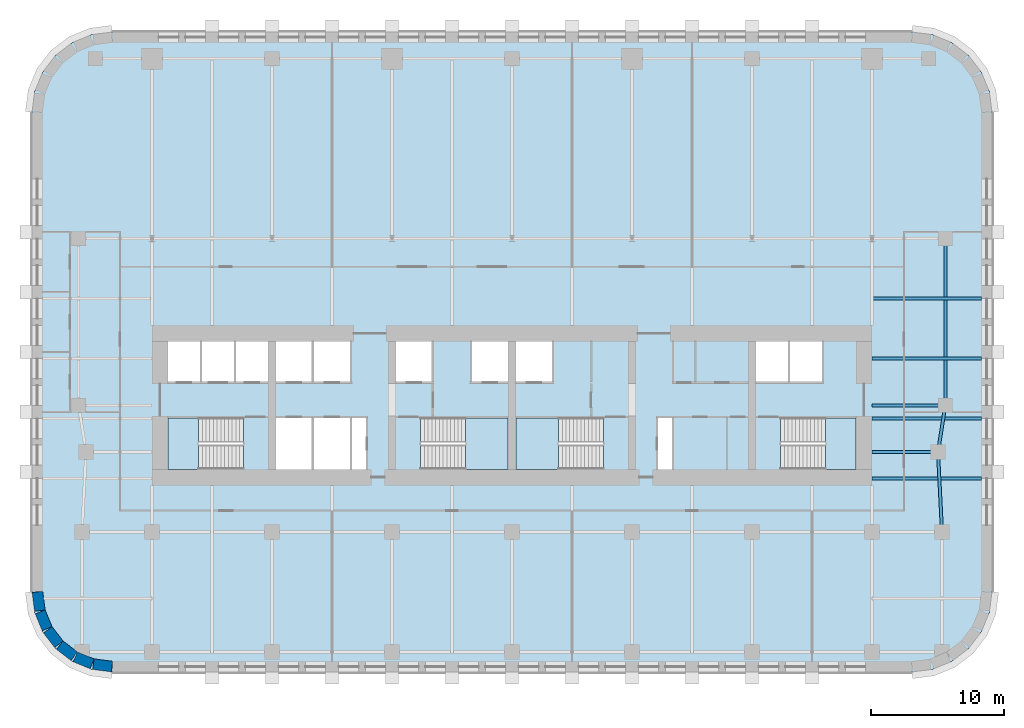
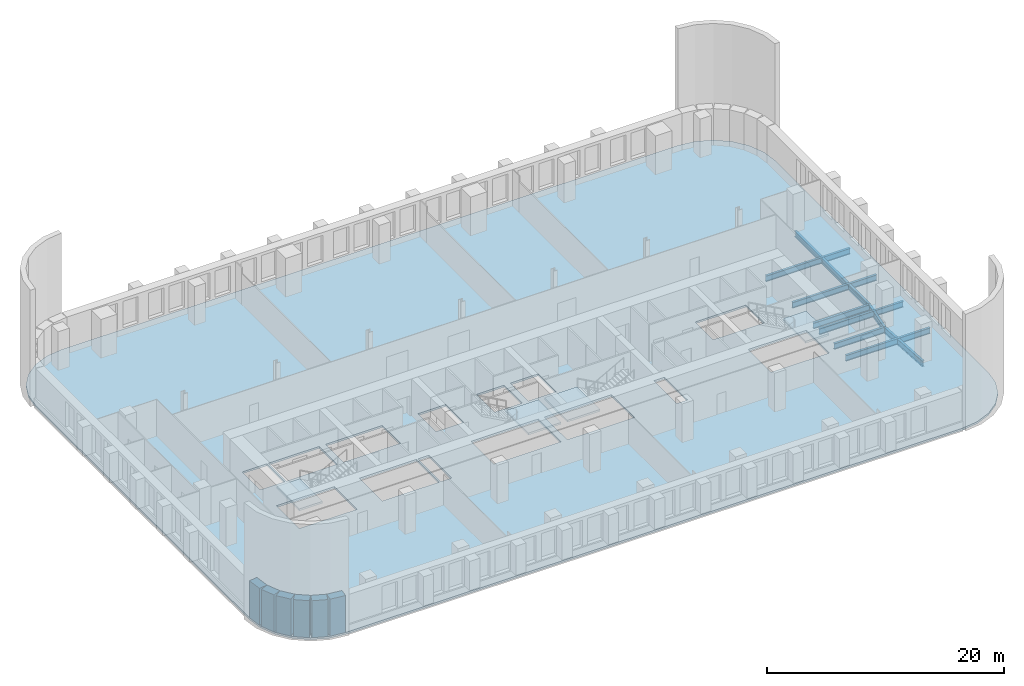
# One storey, part 2 of 11: 9 beams, 6 walls, 5 slabs, 4 elements without a shape of their own.
"""IFC4 building model written with IfcOpenShell, lengths in metres."""

from ifc_helpers import new_model, si_unit, direction, frame, frame_2d, origin, origin_2d, place, context, subcontext, project, spatial, polyline, rectangle, i_section, outline, extrude, material, layer, layer_set, material_profile, profile_set, type_object, element, aggregate, save


model = new_model("IFC4")

# Units and contexts
model_context = context("Model", 3, precision=1e-05, world=origin(), true_north=direction((0.0, 1.0)))
body_context = subcontext(model_context, "Body", "Model", "MODEL_VIEW")
ifc_project = project(units=[si_unit("LENGTHUNIT", "METRE"), si_unit("AREAUNIT", "SQUARE_METRE"), si_unit("VOLUMEUNIT", "CUBIC_METRE"), si_unit("PLANEANGLEUNIT", "RADIAN"), si_unit("MASSUNIT", "GRAM", prefix="KILO")], contexts=[model_context])

# Site, building, storey
site_placement = place(None, origin())
site = spatial("IfcSite", under=ifc_project, at=site_placement, CompositionType="ELEMENT")
building_placement = place(site_placement, origin())
building = spatial("IfcBuilding", under=site, at=building_placement, Name="Zellij Exchange Tower", CompositionType="ELEMENT")
storey_placement = place(building_placement, frame((0.0, 0.0, 64.5)))
storey = spatial("IfcBuildingStorey", under=building, at=storey_placement, Name="L12", CompositionType="ELEMENT", Elevation=64.5)

# Beams
ifc_material_1 = material(Name="Structural steel ASTM A992 Gr 50", Category="steel")
ifc_material_profile_1 = material_profile(ifc_material_1, i_section(OverallWidth=0.227783203125, OverallDepth=0.60205078125, WebThickness=0.010498046875, FlangeThickness=0.014892578125, at=origin_2d()), Name="W24x68")
ifc_profile_set_1 = profile_set([ifc_material_profile_1], Name="Structural steel ASTM A992 Gr 50")
beam_type_1 = type_object("IfcBeamType", Name="STR-BEAM W24x68", PredefinedType="BEAM", material=ifc_profile_set_1)
for number, where, z_axis, x_axis, name in (
    (1, (27.0, -13.5, -0.5009765625), (1.0, 0.0, 0.0), (0.0, 1.0, 0.0), "B5"),
    (2, (27.0, -9.0, -0.5009765625), (1.0, 0.0, 0.0), (0.0, 1.0, 0.0), "B5"),
    (3, (27.0, -4.5, -0.5009765625), (1.0, 0.0, 0.0), (0.0, 1.0, 0.0), "B5"),
    (4, (27.0, 0.0, -0.5009765625), (1.0, 0.0, 0.0), (0.0, 1.0, 0.0), "B5"),
):
    element("IfcBeam", number, at=place(storey_placement, frame(where, z_axis=z_axis, x_axis=x_axis)), inside=storey, type_object=beam_type_1, Name=name, PredefinedType="BEAM", context=body_context, shape_type="SweptSolid", body=[
        extrude(i_section(OverallWidth=0.227783203125, OverallDepth=0.60205078125, WebThickness=0.010498046875, FlangeThickness=0.014892578125, at=origin_2d()), origin(), (0.0, 0.0, 1.0), 8.199951171875),
    ])
ifc_material_profile_2 = material_profile(ifc_material_1, i_section(OverallWidth=0.22900390625, OverallDepth=0.612060546875, WebThickness=0.011962890625, FlangeThickness=0.01953125, at=origin_2d()), Name="W24x84")
ifc_profile_set_2 = profile_set([ifc_material_profile_2], Name="Structural steel ASTM A992 Gr 50")
beam_type_2 = type_object("IfcBeamType", Name="STR-EDGE GIRDER W24x84", PredefinedType="BEAM", material=ifc_profile_set_2)
beam_1_placement = place(storey_placement, frame((32.25, -17.5, -0.506103515625), z_axis=(-0.049945724537, 0.998751933465, 0.0), x_axis=(-0.998751933465, -0.049945724537, 0.0)))
element("IfcBeam", 5, at=beam_1_placement, inside=storey, type_object=beam_type_2, Name="EB6", PredefinedType="BEAM", context=body_context, shape_type="SweptSolid", body=[
    extrude(i_section(OverallWidth=0.22900390625, OverallDepth=0.612060546875, WebThickness=0.011962890625, FlangeThickness=0.01953125, at=origin_2d()), origin(), (0.0, 0.0, 1.0), 6.007568359375),
])
beam_2_placement = place(storey_placement, frame((31.949951171875, -11.5, -0.506103515625), z_axis=(0.155251283593, 0.987875011802, 0.0), x_axis=(-0.987875011802, 0.155251283593, 0.0)))
element("IfcBeam", 6, at=beam_2_placement, inside=storey, type_object=beam_type_2, Name="EB6", PredefinedType="BEAM", context=body_context, shape_type="SweptSolid", body=[
    extrude(i_section(OverallWidth=0.22900390625, OverallDepth=0.612060546875, WebThickness=0.011962890625, FlangeThickness=0.01953125, at=origin_2d()), origin(), (0.0, 0.0, 1.0), 3.54296875),
])
beam_3_placement = place(storey_placement, frame((32.5, -8.0, -0.506103515625), z_axis=(0.0, 1.0, 0.0), x_axis=(-1.0, 0.0, 0.0)))
element("IfcBeam", 7, at=beam_3_placement, inside=storey, type_object=beam_type_2, Name="EB6", PredefinedType="BEAM", context=body_context, shape_type="SweptSolid", body=[
    extrude(i_section(OverallWidth=0.22900390625, OverallDepth=0.612060546875, WebThickness=0.011962890625, FlangeThickness=0.01953125, at=origin_2d()), origin(), (0.0, 0.0, 1.0), 12.5),
])
ifc_material_profile_3 = material_profile(ifc_material_1, i_section(OverallWidth=0.22900390625, OverallDepth=0.612060546875, WebThickness=0.011962890625, FlangeThickness=0.01953125, at=origin_2d()), Name="W24x84")
ifc_profile_set_3 = profile_set([ifc_material_profile_3], Name="Structural steel ASTM A992 Gr 50")
beam_type_3 = type_object("IfcBeamType", Name="STR-GIRDER W24x84", PredefinedType="BEAM", material=ifc_profile_set_3)
beam_4_placement = place(storey_placement, frame((27.0, -11.5, -0.506103515625), z_axis=(1.0, 0.0, 0.0), x_axis=(0.0, 1.0, 0.0)))
element("IfcBeam", 8, at=beam_4_placement, inside=storey, type_object=beam_type_3, Name="G4", PredefinedType="BEAM", context=body_context, shape_type="SweptSolid", body=[
    extrude(i_section(OverallWidth=0.22900390625, OverallDepth=0.612060546875, WebThickness=0.011962890625, FlangeThickness=0.01953125, at=origin_2d()), origin(), (0.0, 0.0, 1.0), 4.949951171875),
])
beam_5_placement = place(storey_placement, frame((27.0, -8.0, -0.506103515625), z_axis=(1.0, 0.0, 0.0), x_axis=(0.0, 1.0, 0.0)))
element("IfcBeam", 9, at=beam_5_placement, inside=storey, type_object=beam_type_3, Name="G4", PredefinedType="BEAM", context=body_context, shape_type="SweptSolid", body=[
    extrude(i_section(OverallWidth=0.22900390625, OverallDepth=0.612060546875, WebThickness=0.011962890625, FlangeThickness=0.01953125, at=origin_2d()), origin(), (0.0, 0.0, 1.0), 5.5),
])

# Stair, slab
ifc_material_2 = material(Name="Concrete C40/50", Category="concrete")
stair_type = type_object("IfcStairType", Name="CORE-ST exit stair 1850 wide", PredefinedType="HALF_TURN_STAIR", material=ifc_material_2)
stair_1_placement = place(storey_placement, origin())
stair_1 = element("IfcStair", 10, at=stair_1_placement, inside=storey, type_object=stair_type, Name="L12 exit stair ST1", PredefinedType="HALF_TURN_STAIR")
ifc_layer_1 = layer(ifc_material_2, 0.199951171875)
ifc_layer_set_1 = layer_set([ifc_layer_1], Name="Concrete C40/50")
slab_type_1 = type_object("IfcSlabType", Name="CORE-SL stair landing 200", PredefinedType="LANDING", material=ifc_layer_set_1)
slab_1_placement = place(storey_placement, frame((0.0, 0.0, 1.800048828125)))
slab_1 = element("IfcSlab", 11, at=slab_1_placement, type_object=slab_type_1, Name="ST1 landing 1", PredefinedType="LANDING", context=body_context, shape_type="SweptSolid", body=[
    extrude(outline(polyline([(-23.510009765625, -8.949951171875), (-25.800048828125, -8.949951171875), (-25.800048828125, -12.800048828125), (-23.510009765625, -12.800048828125), (-23.510009765625, -8.949951171875)])), origin(), (0.0, 0.0, 1.0), 0.199951171875),
])
aggregate(stair_1, [slab_1])

stair_2_placement = place(storey_placement, origin())
stair_2 = element("IfcStair", 12, at=stair_2_placement, inside=storey, type_object=stair_type, Name="L12 exit stair ST2", PredefinedType="HALF_TURN_STAIR")
slab_2_placement = place(storey_placement, frame((0.0, 0.0, 1.800048828125)))
slab_2 = element("IfcSlab", 13, at=slab_2_placement, type_object=slab_type_1, Name="ST2 landing 1", PredefinedType="LANDING", context=body_context, shape_type="SweptSolid", body=[
    extrude(outline(polyline([(-3.489990234375, -12.800048828125), (-0.300048828125, -12.800048828125), (-0.300048828125, -8.949951171875), (-3.489990234375, -8.949951171875), (-3.489990234375, -12.800048828125)])), origin(), (0.0, 0.0, 1.0), 0.199951171875),
])
aggregate(stair_2, [slab_2])

stair_3_placement = place(storey_placement, origin())
stair_3 = element("IfcStair", 14, at=stair_3_placement, inside=storey, type_object=stair_type, Name="L12 exit stair ST3", PredefinedType="HALF_TURN_STAIR")
slab_3_placement = place(storey_placement, frame((0.0, 0.0, 1.800048828125)))
slab_3 = element("IfcSlab", 15, at=slab_3_placement, type_object=slab_type_1, Name="ST3 landing 1", PredefinedType="LANDING", context=body_context, shape_type="SweptSolid", body=[
    extrude(outline(polyline([(3.489990234375, -8.949951171875), (0.300048828125, -8.949951171875), (0.300048828125, -12.800048828125), (3.489990234375, -12.800048828125), (3.489990234375, -8.949951171875)])), origin(), (0.0, 0.0, 1.0), 0.199951171875),
])
aggregate(stair_3, [slab_3])

stair_4_placement = place(storey_placement, origin())
stair_4 = element("IfcStair", 16, at=stair_4_placement, inside=storey, type_object=stair_type, Name="L12 exit stair ST4", PredefinedType="HALF_TURN_STAIR")
slab_4_placement = place(storey_placement, frame((0.0, 0.0, 1.800048828125)))
slab_4 = element("IfcSlab", 17, at=slab_4_placement, type_object=slab_type_1, Name="ST4 landing 1", PredefinedType="LANDING", context=body_context, shape_type="SweptSolid", body=[
    extrude(outline(polyline([(23.510009765625, -12.800048828125), (25.800048828125, -12.800048828125), (25.800048828125, -8.949951171875), (23.510009765625, -8.949951171875), (23.510009765625, -12.800048828125)])), origin(), (0.0, 0.0, 1.0), 0.199951171875),
])
aggregate(stair_4, [slab_4])

# Slab
ifc_layer_2 = layer(ifc_material_2, 0.199951171875)
ifc_layer_set_2 = layer_set([ifc_layer_2], Name="Concrete C40/50")
slab_type_2 = type_object("IfcSlabType", Name="STR-FLOOR SLAB 200 C40/50", PredefinedType="FLOOR", material=ifc_layer_set_2)
slab_5_placement = place(storey_placement, frame((0.0, 0.0, -0.2001953125)))
element("IfcSlab", 18, at=slab_5_placement, inside=storey, type_object=slab_type_2, Name="Floor L12", PredefinedType="FLOOR", context=body_context, shape_type="SweptSolid", body=[
    extrude(outline(polyline([(-30.0, -28.0), (-31.552978515625, -27.795654296875), (-33.0, -27.1962890625), (-34.24267578125, -26.24267578125), (-35.1962890625, -25.0), (-35.795654296875, -23.552978515625), (-36.0, -22.0), (-36.0, 14.0), (-35.795654296875, 15.552978515625), (-35.1962890625, 17.0), (-34.24267578125, 18.24267578125), (-33.0, 19.1962890625), (-31.552978515625, 19.795654296875), (-30.0, 20.0), (30.0, 20.0), (31.552978515625, 19.795654296875), (33.0, 19.1962890625), (34.24267578125, 18.24267578125), (35.1962890625, 17.0), (35.795654296875, 15.552978515625), (36.0, 14.0), (36.0, -22.0), (35.795654296875, -23.552978515625), (35.1962890625, -25.0), (34.24267578125, -26.24267578125), (33.0, -27.1962890625), (31.552978515625, -27.795654296875), (30.0, -28.0), (-30.0, -28.0)]), holes=[polyline([(-25.800048828125, -8.949951171875), (-25.800048828125, -12.800048828125), (-20.153076171875, -12.800048828125), (-20.153076171875, -8.949951171875), (-25.800048828125, -8.949951171875)]), polyline([(-12.14990234375, -8.949951171875), (-17.699951171875, -8.949951171875), (-17.699951171875, -12.800048828125), (-12.14990234375, -12.800048828125), (-12.14990234375, -8.949951171875)]), polyline([(-10.949951171875, -8.949951171875), (-12.0, -8.949951171875), (-12.0, -12.800048828125), (-10.949951171875, -12.800048828125), (-10.949951171875, -8.949951171875)]), polyline([(-23.39990234375, -3.199951171875), (-25.800048828125, -3.199951171875), (-25.800048828125, -6.22509765625), (-23.39990234375, -6.22509765625), (-23.39990234375, -3.199951171875)]), polyline([(-18.300048828125, -3.199951171875), (-23.25, -3.199951171875), (-23.25, -6.22509765625), (-18.300048828125, -6.22509765625), (-18.300048828125, -3.199951171875)]), polyline([(-12.14990234375, -3.199951171875), (-17.699951171875, -3.199951171875), (-17.699951171875, -6.22509765625), (-12.14990234375, -6.22509765625), (-12.14990234375, -3.199951171875)]), polyline([(-6.0, -3.199951171875), (-8.699951171875, -3.199951171875), (-8.699951171875, -6.22509765625), (-6.0, -6.22509765625), (-6.0, -3.199951171875)]), polyline([(-6.846923828125, -8.949951171875), (-6.846923828125, -12.800048828125), (-0.300048828125, -12.800048828125), (-0.300048828125, -8.949951171875), (-6.846923828125, -8.949951171875)]), polyline([(6.846923828125, -8.949951171875), (0.300048828125, -8.949951171875), (0.300048828125, -12.800048828125), (6.846923828125, -12.800048828125), (6.846923828125, -8.949951171875)]), polyline([(12.0, -8.949951171875), (10.949951171875, -8.949951171875), (10.949951171875, -12.800048828125), (12.0, -12.800048828125), (12.0, -8.949951171875)]), polyline([(25.800048828125, -8.949951171875), (20.153076171875, -8.949951171875), (20.153076171875, -12.800048828125), (25.800048828125, -12.800048828125), (25.800048828125, -8.949951171875)]), polyline([(-0.300048828125, -3.199951171875), (-3.0, -3.199951171875), (-3.0, -6.22509765625), (-0.300048828125, -6.22509765625), (-0.300048828125, -3.199951171875)]), polyline([(3.0, -3.199951171875), (0.300048828125, -3.199951171875), (0.300048828125, -6.22509765625), (3.0, -6.22509765625), (3.0, -3.199951171875)]), polyline([(23.25, -3.199951171875), (18.300048828125, -3.199951171875), (18.300048828125, -6.22509765625), (23.25, -6.22509765625), (23.25, -3.199951171875)])]), origin(), (0.0, 0.0, 1.0), 0.2001953125),
])

# Walls
ifc_material_3 = material(Name="Precast concrete C40/50", Category="concrete")
ifc_layer_3 = layer(ifc_material_3, 0.800048828125)
ifc_layer_set_3 = layer_set([ifc_layer_3], Name="Precast concrete C40/50")
wall_type = type_object("IfcWallType", Name="ENV-EW1 Precast stone-piered wall 800", PredefinedType="SOLIDWALL", material=ifc_layer_set_3)
wall_1_placement = place(storey_placement, frame((-35.5966796875, -21.999755859375, 0.0), z_axis=(0.0, 0.0, 1.0), x_axis=(0.130517283865, -0.99144603414, 0.0)))
element("IfcWall", 19, at=wall_1_placement, inside=storey, type_object=wall_type, Name="fac.L12.22", PredefinedType="SOLIDWALL", context=body_context, shape_type="SweptSolid", body=[
    extrude(rectangle(XDim=1.408447265625, YDim=0.800048828125, at=frame_2d((0.7041015625, 0.0))), origin(), (0.0, 0.0, 1.0), 3.800048828125),
])
wall_2_placement = place(storey_placement, frame((-35.3857421875, -23.497314453125, 0.0), z_axis=(0.0, 0.0, 1.0), x_axis=(0.38276009378, -0.923847774587, 0.0)))
element("IfcWall", 20, at=wall_2_placement, inside=storey, type_object=wall_type, Name="fac.L12.23", PredefinedType="SOLIDWALL", context=body_context, shape_type="SweptSolid", body=[
    extrude(rectangle(XDim=1.35546875, YDim=0.800048828125, at=frame_2d((0.677734375, 0.0))), origin(), (0.0, 0.0, 1.0), 3.800048828125),
])
for number, where, z_axis, x_axis, name in (
    (21, (-34.814697265625, -24.840087890625, 0.0), (0.0, 0.0, 1.0), (0.608866226366, -0.793272915452, 0.0), "fac.L12.24"),
    (22, (-33.91552734375, -25.9892578125, 0.0), (0.0, 0.0, 1.0), (0.793272915452, -0.608866226366, 0.0), "fac.L12.25"),
):
    element("IfcWall", number, at=place(storey_placement, frame(where, z_axis=z_axis, x_axis=x_axis)), inside=storey, type_object=wall_type, Name=name, PredefinedType="SOLIDWALL", context=body_context, shape_type="SweptSolid", body=[
        extrude(rectangle(XDim=1.355712890625, YDim=0.800048828125, at=frame_2d((0.677734375, 0.0))), origin(), (0.0, 0.0, 1.0), 3.800048828125),
    ])
wall_3_placement = place(storey_placement, frame((-32.74951171875, -26.866943359375, 0.0), z_axis=(0.0, 0.0, 1.0), x_axis=(0.923847774587, -0.38276009378, 0.0)))
element("IfcWall", 23, at=wall_3_placement, inside=storey, type_object=wall_type, Name="fac.L12.26", PredefinedType="SOLIDWALL", context=body_context, shape_type="SweptSolid", body=[
    extrude(rectangle(XDim=1.35546875, YDim=0.800048828125, at=frame_2d((0.677734375, 0.0))), origin(), (0.0, 0.0, 1.0), 3.800048828125),
])
wall_4_placement = place(storey_placement, frame((-31.396240234375, -27.412841796875, 0.0), z_axis=(0.0, 0.0, 1.0), x_axis=(0.99144603414, -0.130517283865, 0.0)))
element("IfcWall", 24, at=wall_4_placement, inside=storey, type_object=wall_type, Name="fac.L12.27", PredefinedType="SOLIDWALL", context=body_context, shape_type="SweptSolid", body=[
    extrude(rectangle(XDim=1.408447265625, YDim=0.800048828125, at=frame_2d((0.7041015625, 0.0))), origin(), (0.0, 0.0, 1.0), 3.800048828125),
])

save(model, "model.ifc")
